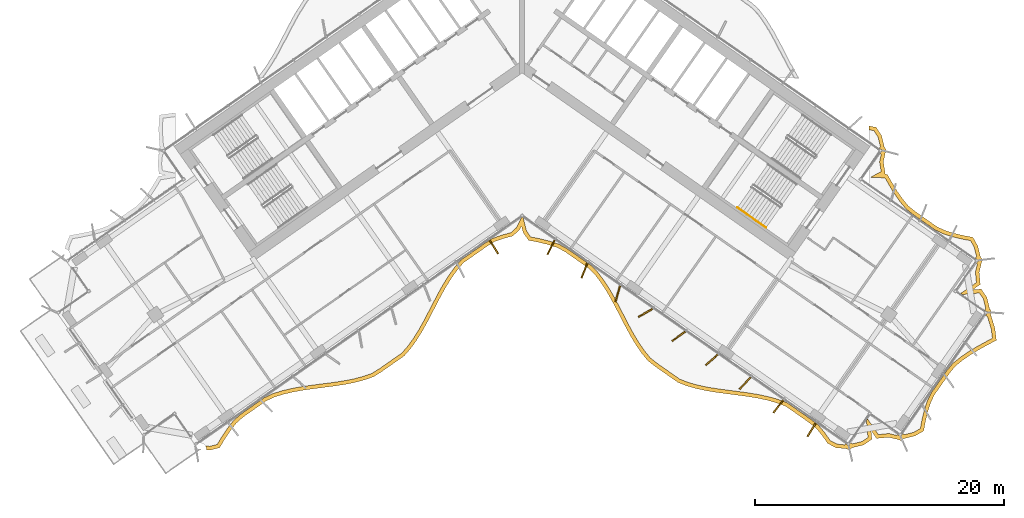
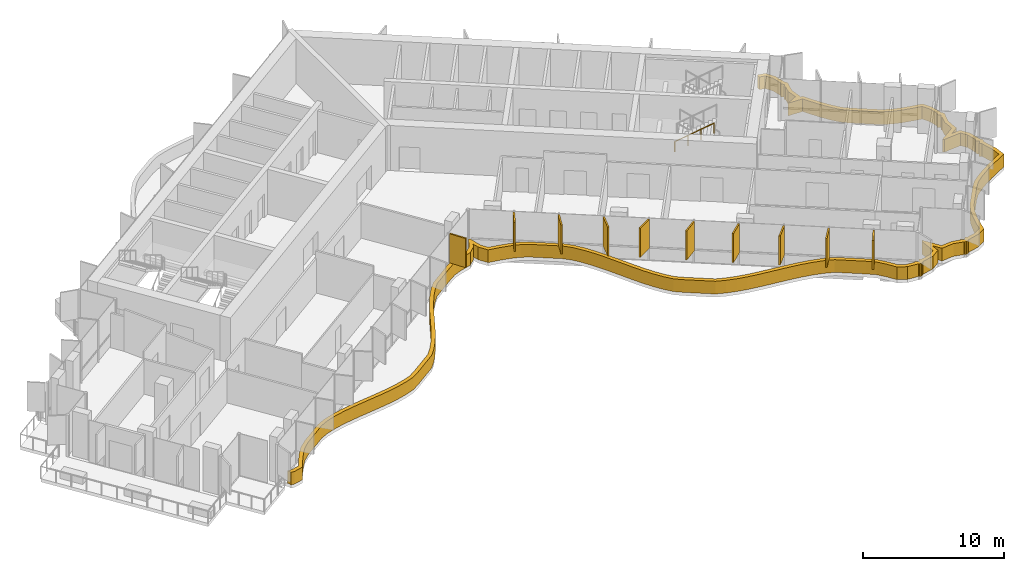
# One storey, part 21 of 24: 11 shading devices, 1 railing.
"""IFC4 building model written with IfcOpenShell, lengths in metres."""

from ifc_helpers import new_model, si_unit, direction, frame, origin, origin_2d, place, context, subcontext, project, spatial, polyline, rectangle, circle, outline, extrude, material, layer, layer_set, type_object, element, save


model = new_model("IFC4")

# Units and contexts
model_context = context("Model", 3, precision=1e-05, world=origin(), true_north=direction((0.0, 1.0)))
body_context = subcontext(model_context, "Body", "Model", "MODEL_VIEW")
ifc_project = project(units=[si_unit("LENGTHUNIT", "METRE"), si_unit("AREAUNIT", "SQUARE_METRE"), si_unit("VOLUMEUNIT", "CUBIC_METRE"), si_unit("PLANEANGLEUNIT", "RADIAN"), si_unit("MASSUNIT", "GRAM", prefix="KILO")], contexts=[model_context])

# Site, building, storey
site_placement = place(None, origin())
site = spatial("IfcSite", under=ifc_project, at=site_placement, CompositionType="ELEMENT")
building_placement = place(site_placement, origin())
building = spatial("IfcBuilding", under=site, at=building_placement, Name="Tel Ilan Convention Tower", CompositionType="ELEMENT")
storey_placement = place(building_placement, frame((0.0, 0.0, 167.10009765625)))
storey = spatial("IfcBuildingStorey", under=building, at=storey_placement, Name="L38", CompositionType="ELEMENT", Elevation=167.10009765625)

# Shading devices
ifc_material_1 = material(Name="Aluminium, bronze anodised", Category="aluminium")
ifc_layer_1 = layer(ifc_material_1, 0.1201171875)
ifc_layer_set_1 = layer_set([ifc_layer_1], Name="FIN BRONZE 1300x120")
shading_device_type_1 = type_object("IfcShadingDeviceType", Name="FIN BRONZE 1300x120", PredefinedType="USERDEFINED", material=ifc_layer_set_1)
for number, where, z_axis, x_axis, name in (
    (1, (-2.27734375, -15.208251953125, 1.099853515625), (0.0, 0.0, 1.0), (0.533204432798, -0.845986425922, 0.0), "FIN"),
    (2, (2.328857421875, -15.243896484375, 1.099853515625), (0.0, 0.0, 1.0), (-0.448799180206, -0.893632640321, 0.0), "FIN"),
    (3, (5.00830078125, -17.1123046875, 1.099853515625), (0.0, 0.0, 1.0), (-0.360177724803, -0.932883704733, 0.0), "FIN"),
    (4, (7.690185546875, -18.974853515625, 1.099853515625), (0.0, 0.0, 1.0), (-0.268172612768, -0.963370878614, 0.0), "FIN"),
    (5, (9.923583984375, -20.516357421875, 1.099853515625), (0.0, 0.0, 1.0), (-0.866025403784, -0.5, 0.0), "FIN"),
    (6, (12.5859375, -22.403076171875, 1.099853515625), (0.0, 0.0, 1.0), (-0.813552070258, -0.581492071294, 0.0), "FIN"),
    (7, (15.25341796875, -24.2861328125, 1.099853515625), (0.0, 0.0, 1.0), (-0.753435896329, -0.657521368568, 0.0), "FIN"),
    (8, (17.92578125, -26.1650390625, 1.099853515625), (0.0, 0.0, 1.0), (-0.686241637865, -0.727373641577, 0.0), "FIN"),
    (9, (20.60205078125, -28.039306640625, 1.099853515625), (0.0, 0.0, 1.0), (-0.612600545196, -0.790392669516, 0.0), "FIN"),
    (10, (23.27880859375, -29.91357421875, 1.099853515625), (0.0, 0.0, 1.0), (-0.533204432798, -0.845986425922, 0.0), "FIN"),
):
    element("IfcShadingDevice", number, at=place(storey_placement, frame(where, z_axis=z_axis, x_axis=x_axis)), inside=storey, type_object=shading_device_type_1, Name=name, ObjectType="FIN", PredefinedType="USERDEFINED", context=body_context, shape_type="SweptSolid", body=[
        extrude(rectangle(XDim=1.300048828125, YDim=0.1201171875, at=origin_2d()), origin(), (0.0, 0.0, 1.0), 2.52001953125),
    ])
ifc_material_2 = material(Name="Aluminium, bronze anodised", Category="aluminium")
ifc_layer_2 = layer(ifc_material_2, 0.300048828125)
ifc_layer_set_2 = layer_set([ifc_layer_2], Name="LOUVRE BAND 300x1100")
shading_device_type_2 = type_object("IfcShadingDeviceType", Name="LOUVRE BAND 300x1100", PredefinedType="USERDEFINED", material=ifc_layer_set_2)
shading_device_placement = place(storey_placement, origin())
element("IfcShadingDevice", 11, at=shading_device_placement, inside=storey, type_object=shading_device_type_2, Name="LOUVRE BAND 30.01", ObjectType="LOUVRE", PredefinedType="USERDEFINED", context=body_context, shape_type="SweptSolid", body=[
    extrude(outline(polyline([(-25.4580078125, -31.209716796875), (-25.419921875, -31.285888671875), (-25.389404296875, -31.37890625), (-25.37890625, -31.519775390625), (-25.097412109375, -31.54931640625), (-24.322021484375, -31.357421875), (-23.90576171875, -30.652587890625), (-23.4609375, -29.988525390625), (-22.980224609375, -29.375732421875), (-22.4169921875, -28.880859375), (-20.58544921875, -27.598388671875), (-19.900146484375, -27.277587890625), (-19.150634765625, -27.048583984375), (-18.36669921875, -26.86865234375), (-17.556396484375, -26.726806640625), (-16.728515625, -26.609619140625), (-15.0595703125, -26.39404296875), (-14.239013671875, -26.266845703125), (-13.4404296875, -26.10791015625), (-12.672119140625, -25.90576171875), (-11.941650390625, -25.649658203125), (-11.30908203125, -25.253662109375), (-9.4775390625, -23.97119140625), (-8.9716796875, -23.39404296875), (-8.509033203125, -22.75537109375), (-8.0791015625, -22.0703125), (-7.673583984375, -21.35009765625), (-6.508056640625, -19.1162109375), (-6.103271484375, -18.39501953125), (-5.67431640625, -17.708251953125), (-5.213134765625, -17.067626953125), (-4.7119140625, -16.483642578125), (-2.88037109375, -15.201416015625), (-2.25146484375, -14.800048828125), (-1.5224609375, -14.5419921875), (-0.755615234375, -14.337890625), (-0.200439453125, -13.831298828125), (-0.055419921875, -13.532470703125), (0.06640625, -14.0224609375), (0.51220703125, -14.685546875), (1.31689453125, -14.835693359375), (2.093017578125, -15.0263671875), (2.833251953125, -15.268798828125), (3.490966796875, -15.62890625), (5.322509765625, -16.9111328125), (5.858154296875, -17.445556640625), (6.329833984375, -18.071533203125), (6.76708984375, -18.74658203125), (7.177734375, -19.45947265625), (7.57080078125, -20.197509765625), (8.343994140625, -21.69189453125), (8.744384765625, -22.41943359375), (9.166748046875, -23.11572265625), (9.61962890625, -23.768310546875), (10.110107421875, -24.3671875), (10.698486328125, -24.826171875), (12.530029296875, -26.108642578125), (13.245361328125, -26.386474609375), (14.003662109375, -26.602783203125), (14.794677734375, -26.7724609375), (15.610107421875, -26.9072265625), (18.10791015625, -27.238525390625), (18.924072265625, -27.3720703125), (19.716064453125, -27.54052734375), (20.475830078125, -27.7548828125), (21.19580078125, -28.02587890625), (23.02734375, -29.308349609375), (23.619384765625, -29.76220703125), (24.111328125, -30.35888671875), (24.565673828125, -31.009765625), (25.2314453125, -31.358154296875), (26.083251953125, -31.441162109375), (26.13720703125, -31.47705078125), (26.251953125, -31.5), (26.366943359375, -31.47705078125), (26.464111328125, -31.412109375), (26.4931640625, -31.368896484375), (27.463134765625, -31.132568359375), (28.12109375, -30.677734375), (28.056396484375, -29.976806640625), (28.4951171875, -30.611572265625), (29.47412109375, -30.52099609375), (30.258056640625, -30.708984375), (30.261474609375, -30.704345703125), (30.3154296875, -30.740478515625), (30.43017578125, -30.76318359375), (30.544921875, -30.740478515625), (30.642333984375, -30.67529296875), (30.67138671875, -30.632080078125), (31.5947265625, -30.402587890625), (32.283447265625, -30.0087890625), (32.42919921875, -29.234619140625), (32.607177734375, -28.483154296875), (32.83154296875, -27.764404296875), (33.145751953125, -27.108154296875), (34.380615234375, -25.344482421875), (34.83984375, -24.7900390625), (35.421630859375, -24.3212890625), (36.052734375, -23.88720703125), (36.7236328125, -23.48095703125), (37.423828125, -23.09521484375), (38.134033203125, -22.71630859375), (38.010498046875, -21.753662109375), (37.6689453125, -20.638427734375), (37.705078125, -20.58447265625), (37.727783203125, -20.4697265625), (37.705078125, -20.354736328125), (37.639892578125, -20.257568359375), (37.5966796875, -20.228515625), (37.3603515625, -19.258544921875), (36.905517578125, -18.6005859375), (36.20458984375, -18.665283203125), (36.839599609375, -18.2265625), (36.748779296875, -17.24755859375), (36.936767578125, -16.463623046875), (36.93212890625, -16.460205078125), (36.96826171875, -16.40625), (36.9912109375, -16.29150390625), (36.96826171875, -16.1767578125), (36.9033203125, -16.079345703125), (36.85986328125, -16.05029296875), (36.63134765625, -15.134521484375), (36.246826171875, -14.44140625), (35.47900390625, -14.2958984375), (34.732177734375, -14.1201171875), (34.017333984375, -13.899169921875), (33.361328125, -13.59375), (31.6103515625, -12.36767578125), (31.052978515625, -11.921630859375), (30.5849609375, -11.347900390625), (30.151123046875, -10.72509765625), (29.74560546875, -10.06201171875), (29.356201171875, -9.3759765625), (29.132080078125, -9.36474609375), (29.19384765625, -9.332763671875), (29.044921875, -8.373779296875), (29.20458984375, -7.631103515625), (29.199951171875, -7.6279296875), (29.236083984375, -7.57373046875), (29.2587890625, -7.458984375), (29.236083984375, -7.34423828125), (29.1708984375, -7.246826171875), (29.127685546875, -7.218017578125), (28.894287109375, -6.267333984375), (28.465576171875, -5.595458984375), (27.874755859375, -5.485595703125), (27.874755859375, -5.790771484375), (28.28271484375, -5.86669921875), (28.614990234375, -6.387451171875), (28.806640625, -7.1533203125), (28.713134765625, -7.286865234375), (28.958740234375, -7.458984375), (28.787353515625, -7.705322265625), (28.869384765625, -7.7626953125), (28.73974609375, -8.364990234375), (28.8642578125, -9.165283203125), (28.0048828125, -9.60888671875), (29.1767578125, -9.66748046875), (29.4873046875, -10.21435546875), (29.89990234375, -10.88916015625), (30.34521484375, -11.528564453125), (30.840576171875, -12.135986328125), (31.430419921875, -12.60791015625), (33.2109375, -13.8544921875), (33.9091796875, -14.1796875), (34.653564453125, -14.409912109375), (35.416748046875, -14.58935546875), (36.052734375, -14.7099609375), (36.35009765625, -15.24609375), (36.53857421875, -15.986328125), (36.4453125, -16.119384765625), (36.691162109375, -16.29150390625), (36.519775390625, -16.53759765625), (36.597412109375, -16.592041015625), (36.445556640625, -17.225830078125), (36.524658203125, -18.07958984375), (35.261474609375, -18.95263671875), (35.38916015625, -19.042236328125), (36.758544921875, -18.915283203125), (37.082275390625, -19.384033203125), (37.27587890625, -20.16357421875), (37.18212890625, -20.297607421875), (37.427734375, -20.4697265625), (37.25634765625, -20.7158203125), (37.41650390625, -20.827880859375), (37.716064453125, -21.816650390625), (37.810302734375, -22.549072265625), (36.573486328125, -23.22119140625), (35.889892578125, -23.635009765625), (35.2421875, -24.08056640625), (34.6279296875, -24.575439453125), (34.141845703125, -25.16259765625), (32.8857421875, -26.956298828125), (32.551513671875, -27.654296875), (32.317626953125, -28.40380859375), (32.1357421875, -29.17236328125), (32.014404296875, -29.817138671875), (31.481201171875, -30.121826171875), (30.7353515625, -30.310791015625), (30.602294921875, -30.217529296875), (30.43017578125, -30.46337890625), (30.18408203125, -30.291748046875), (30.129638671875, -30.36962890625), (29.495849609375, -30.2177734375), (28.64208984375, -30.296875), (27.76904296875, -29.03369140625), (27.679443359375, -29.161376953125), (27.806396484375, -30.530517578125), (27.337646484375, -30.8544921875), (26.55810546875, -31.048095703125), (26.424072265625, -30.954345703125), (26.251953125, -31.199951171875), (26.005859375, -31.028564453125), (25.935302734375, -31.129150390625), (25.319580078125, -31.065673828125), (24.76953125, -30.77783203125), (24.3505859375, -30.177490234375), (23.8291015625, -29.544921875), (23.204833984375, -29.06640625), (21.3369140625, -27.758544921875), (20.569580078125, -27.469482421875), (19.7880859375, -27.2490234375), (18.9794921875, -27.077392578125), (18.15234375, -26.941650390625), (15.65478515625, -26.610595703125), (14.8505859375, -26.477783203125), (14.076416015625, -26.3115234375), (13.341064453125, -26.101806640625), (12.67236328125, -25.842041015625), (10.876953125, -24.5849609375), (10.321044921875, -24.1513671875), (9.859375, -23.58740234375), (9.41845703125, -22.9521484375), (9.004150390625, -22.269287109375), (8.608642578125, -21.55029296875), (7.83642578125, -20.058349609375), (7.440185546875, -19.31396484375), (7.02294921875, -18.590087890625), (6.575927734375, -17.8994140625), (6.085205078125, -17.248046875), (5.515869140625, -16.680419921875), (3.649658203125, -15.37353515625), (2.953125, -14.9921875), (2.17578125, -14.73779296875), (1.380126953125, -14.542236328125), (0.69091796875, -14.41357421875), (0.344970703125, -13.89892578125), (0.092041015625, -12.882568359375), (0.0, -12.818115234375), (-0.063720703125, -12.86279296875), (-0.445068359375, -13.6484375), (-0.903564453125, -14.06689453125), (-1.611328125, -14.255126953125), (-2.384033203125, -14.52880859375), (-3.04736328125, -14.951904296875), (-4.9150390625, -16.259765625), (-5.448974609375, -16.882080078125), (-5.923583984375, -17.541015625), (-6.361572265625, -18.241943359375), (-6.771728515625, -18.972900390625), (-7.93701171875, -21.20654296875), (-8.3369140625, -21.916748046875), (-8.7578125, -22.587646484375), (-9.20654296875, -23.206787109375), (-9.67919921875, -23.746337890625), (-11.474853515625, -25.00341796875), (-12.072509765625, -25.377685546875), (-12.760009765625, -25.61865234375), (-13.5078125, -25.8154296875), (-14.291259765625, -25.97119140625), (-15.102294921875, -26.09716796875), (-16.768310546875, -26.312255859375), (-17.603271484375, -26.430419921875), (-18.42626953125, -26.57470703125), (-19.22802734375, -26.7587890625), (-20.008056640625, -26.9970703125), (-20.736083984375, -27.337646484375), (-22.6025390625, -28.64453125), (-23.198974609375, -29.168701171875), (-23.7041015625, -29.81201171875), (-24.159912109375, -30.49267578125), (-24.516357421875, -31.096435546875), (-25.118408203125, -31.24560546875), (-25.4580078125, -31.209716796875)])), origin(), (0.0, 0.0, 1.0), 1.099853515625),
])

# Railing
ifc_material_3 = material(Name="Stainless Steel Grade 316", Category="steel")
railing_type = type_object("IfcRailingType", Name="Stainless Steel Stair Handrail 900 mm", PredefinedType="HANDRAIL", material=ifc_material_3)
railing_placement = place(storey_placement, frame((17.312744140625, -12.0615234375, 2.127197265625)))
element("IfcRailing", 12, at=railing_placement, inside=storey, type_object=railing_type, Name="L38 S4 stair handrail 2", PredefinedType="HANDRAIL", context=body_context, shape_type="SweptSolid", body=[
    extrude(circle(Radius=0.02392578125, at=origin_2d()), frame((0.0, 0.0, 0.8759765625), z_axis=(0.692123088272, -0.484596665743, 0.534912798717), x_axis=(0.573550118428, 0.819170471667, 0.0)), (0.0, 0.0, 1.0), 3.31396484375),
    extrude(circle(Radius=0.02099609375, at=origin_2d()), origin(), (0.0, 0.0, 1.0), 0.851806640625),
    extrude(circle(Radius=0.02099609375, at=origin_2d()), frame((0.7646484375, -0.535400390625, 0.5908203125)), (0.0, 0.0, 1.0), 0.851806640625),
    extrude(circle(Radius=0.02099609375, at=origin_2d()), frame((1.529052734375, -1.070556640625, 1.181884765625)), (0.0, 0.0, 1.0), 0.851806640625),
    extrude(circle(Radius=0.02099609375, at=origin_2d()), frame((2.293701171875, -1.60595703125, 1.772705078125)), (0.0, 0.0, 1.0), 0.851806640625),
])

save(model, "model.ifc")
